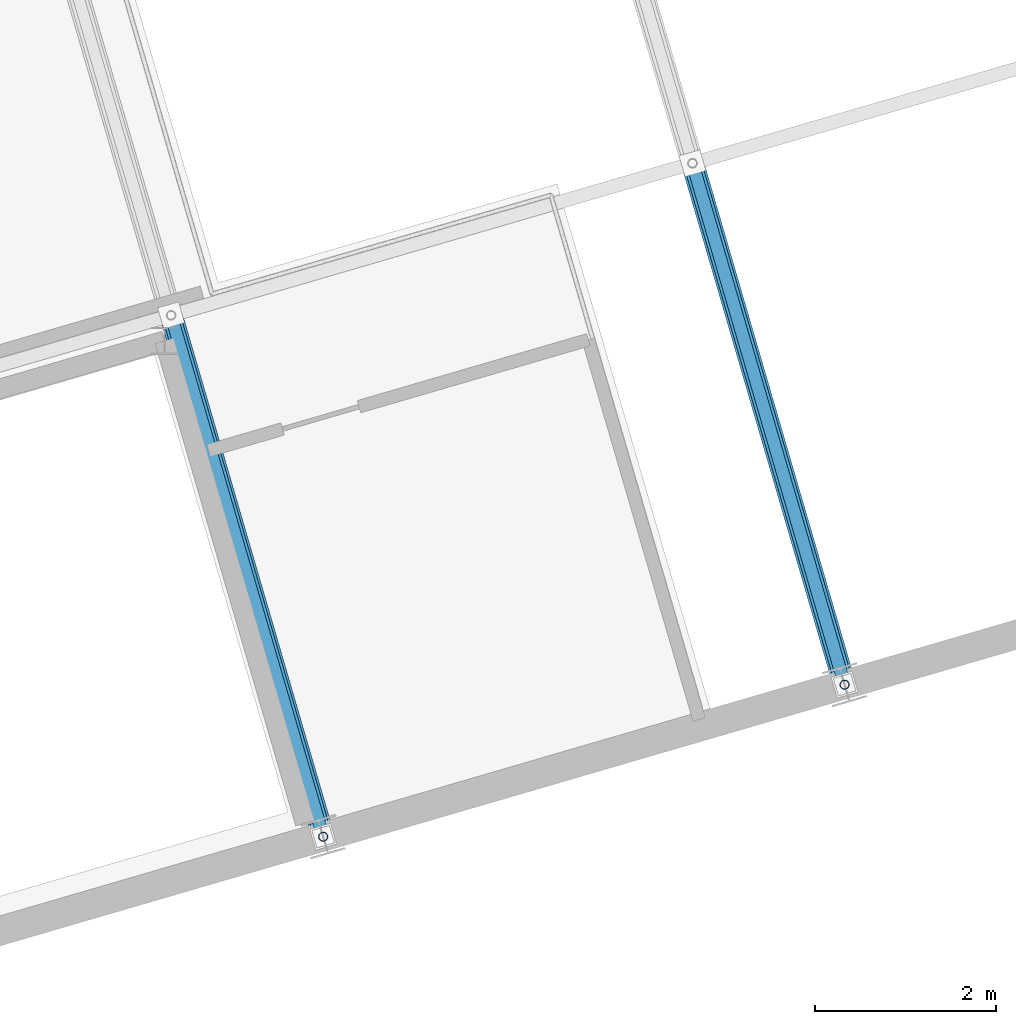
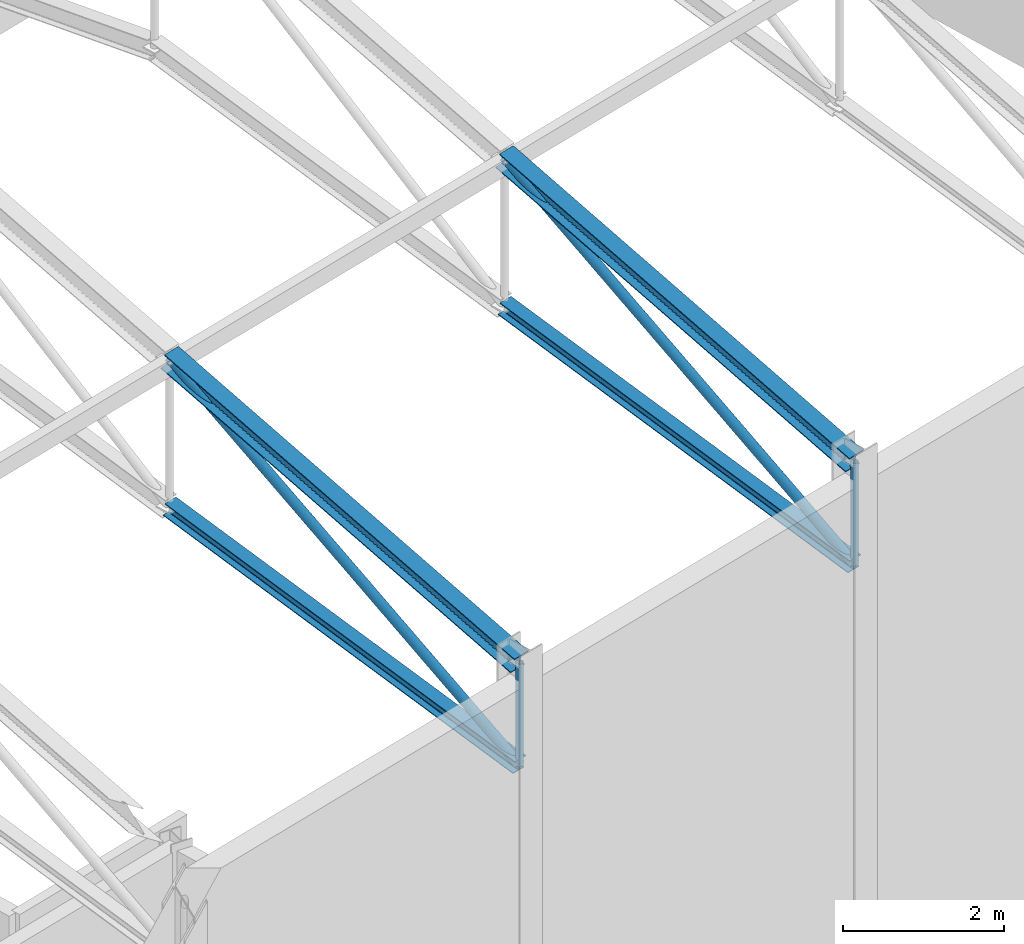
# One storey, part 162 of 248: 8 members.
"""IFC4 building model written with IfcOpenShell, lengths in metres."""

from ifc_helpers import new_model, si_unit, direction, frame, origin, origin_2d, place, context, subcontext, project, spatial, hollow_circle, i_section, extrude, material, material_profile, profile_set, type_object, element, save


model = new_model("IFC4")

# Units and contexts
model_context = context("Model", 3, precision=1e-05, world=origin(), true_north=direction((0.0, 1.0)))
body_context = subcontext(model_context, "Body", "Model", "MODEL_VIEW")
ifc_project = project(units=[si_unit("LENGTHUNIT", "METRE"), si_unit("AREAUNIT", "SQUARE_METRE"), si_unit("VOLUMEUNIT", "CUBIC_METRE"), si_unit("PLANEANGLEUNIT", "RADIAN"), si_unit("MASSUNIT", "GRAM", prefix="KILO")], contexts=[model_context])

# Site, building, storey
site_placement = place(None, origin())
site = spatial("IfcSite", under=ifc_project, at=site_placement, CompositionType="ELEMENT")
building_placement = place(site_placement, origin())
building = spatial("IfcBuilding", under=site, at=building_placement, Name="Canggui Botanical Conservatory", CompositionType="ELEMENT")
storey_placement = place(building_placement, frame((0.0, 0.0, 5.39990234375)))
storey = spatial("IfcBuildingStorey", under=building, at=storey_placement, Name="L02", CompositionType="ELEMENT", Elevation=5.39990234375)

# Members
ifc_material = material(Name="Steel Q355B", Category="steel")
ifc_material_profile_1 = material_profile(ifc_material, i_section(OverallWidth=0.25, OverallDepth=0.25, WebThickness=0.009033203125, FlangeThickness=0.013916015625, FilletRadius=0.01611328125, at=origin_2d()), Name="HW 250x250x9x14")
ifc_profile_set_1 = profile_set([ifc_material_profile_1], Name="Steel Q355B")
member_type_1 = type_object("IfcMemberType", Name="MEM-TC01", PredefinedType="CHORD", material=ifc_profile_set_1)
for number, where, z_axis, x_axis, name in (
    (1, (77.52001953125, 93.360107421875, 9.9501953125), (-0.269385502469, 0.923646586216, 0.272595735168), (-0.960003190047, -0.279989062464, 0.0), "Auditorium Truss AT-03 Top Chord 1"),
    (2, (83.280029296875, 95.0400390625, 9.9501953125), (-0.269385502469, 0.923646586216, 0.272595735168), (-0.960003190047, -0.279989062464, 0.0), "Auditorium Truss AT-04 Top Chord 1"),
):
    element("IfcMember", number, at=place(storey_placement, frame(where, z_axis=z_axis, x_axis=x_axis)), inside=storey, type_object=member_type_1, Name=name, PredefinedType="CHORD", context=body_context, shape_type="SweptSolid", body=[
        extrude(i_section(OverallWidth=0.25, OverallDepth=0.25, WebThickness=0.009033203125, FlangeThickness=0.013916015625, FilletRadius=0.01611328125, at=origin_2d()), origin(), (0.0, 0.0, 1.0), 6.236083984375),
    ])
ifc_material_profile_2 = material_profile(ifc_material, i_section(OverallWidth=0.199951171875, OverallDepth=0.199951171875, WebThickness=0.008056640625, FlangeThickness=0.011962890625, FilletRadius=0.012939453125, at=origin_2d()), Name="HW 200x200x8x12")
ifc_profile_set_2 = profile_set([ifc_material_profile_2], Name="Steel Q355B")
member_type_2 = type_object("IfcMemberType", Name="MEM-TC02", PredefinedType="CHORD", material=ifc_profile_set_2)
for number, where, z_axis, x_axis, name in (
    (3, (77.52001953125, 93.360107421875, 8.400146484375), (-0.276179497805, 0.946941271868, 0.16439924764), (-0.960003190047, -0.279989062464, 0.0), "Auditorium Truss AT-03 Bottom Chord 1"),
    (4, (83.280029296875, 95.0400390625, 8.400146484375), (-0.276179497805, 0.946941271868, 0.16439924764), (-0.960003190047, -0.279989062464, 0.0), "Auditorium Truss AT-04 Bottom Chord 1"),
):
    element("IfcMember", number, at=place(storey_placement, frame(where, z_axis=z_axis, x_axis=x_axis)), inside=storey, type_object=member_type_2, Name=name, PredefinedType="CHORD", context=body_context, shape_type="SweptSolid", body=[
        extrude(i_section(OverallWidth=0.199951171875, OverallDepth=0.199951171875, WebThickness=0.008056640625, FlangeThickness=0.011962890625, FilletRadius=0.012939453125, at=origin_2d()), origin(), (0.0, 0.0, 1.0), 6.082763671875),
    ])
ifc_material_profile_3 = material_profile(ifc_material, hollow_circle(Radius=0.070068359375, WallThickness=0.006103515625, at=origin_2d()), Name="CHS 140x6")
ifc_profile_set_3 = profile_set([ifc_material_profile_3], Name="Steel Q355B")
member_type_3 = type_object("IfcMemberType", Name="MEM-TW01", PredefinedType="BRACE", material=ifc_profile_set_3)
for number, where, z_axis, x_axis, name in (
    (5, (77.52001953125, 93.360107421875, 8.400146484375), (-0.246192042448, 0.844122781207, 0.476283747867), (-0.960003190047, -0.279989062464, 0.0), "Auditorium Truss AT-03 Web Diagonal 1"),
    (6, (83.280029296875, 95.0400390625, 8.400146484375), (-0.246192042448, 0.844122781207, 0.476283747867), (-0.960003190047, -0.279989062464, 0.0), "Auditorium Truss AT-04 Web Diagonal 1"),
):
    element("IfcMember", number, at=place(storey_placement, frame(where, z_axis=z_axis, x_axis=x_axis)), inside=storey, type_object=member_type_3, Name=name, PredefinedType="BRACE", context=body_context, shape_type="SweptSolid", body=[
        extrude(hollow_circle(Radius=0.070068359375, WallThickness=0.006103515625, at=origin_2d()), origin(), (0.0, 0.0, 1.0), 6.82373046875),
    ])
ifc_material_profile_4 = material_profile(ifc_material, hollow_circle(Radius=0.051025390625, WallThickness=0.0048828125, at=origin_2d()), Name="CHS 102x5")
ifc_profile_set_4 = profile_set([ifc_material_profile_4], Name="Steel Q355B")
member_type_4 = type_object("IfcMemberType", Name="MEM-TW04", PredefinedType="BRACE", material=ifc_profile_set_4)
for number, where, z_axis, x_axis, name in (
    (7, (77.52001953125, 93.360107421875, 8.400146484375), (0.0, 0.0, 1.0), (1.0, 0.0, 0.0), "Auditorium Truss AT-03 Vertical Post 1"),
    (8, (83.280029296875, 95.0400390625, 8.400146484375), (0.0, 0.0, 1.0), (1.0, 0.0, 0.0), "Auditorium Truss AT-04 Vertical Post 1"),
):
    element("IfcMember", number, at=place(storey_placement, frame(where, z_axis=z_axis, x_axis=x_axis)), inside=storey, type_object=member_type_4, Name=name, PredefinedType="BRACE", context=body_context, shape_type="SweptSolid", body=[
        extrude(hollow_circle(Radius=0.051025390625, WallThickness=0.0048828125, at=origin_2d()), origin(), (0.0, 0.0, 1.0), 1.550048828125),
    ])

save(model, "model.ifc")
